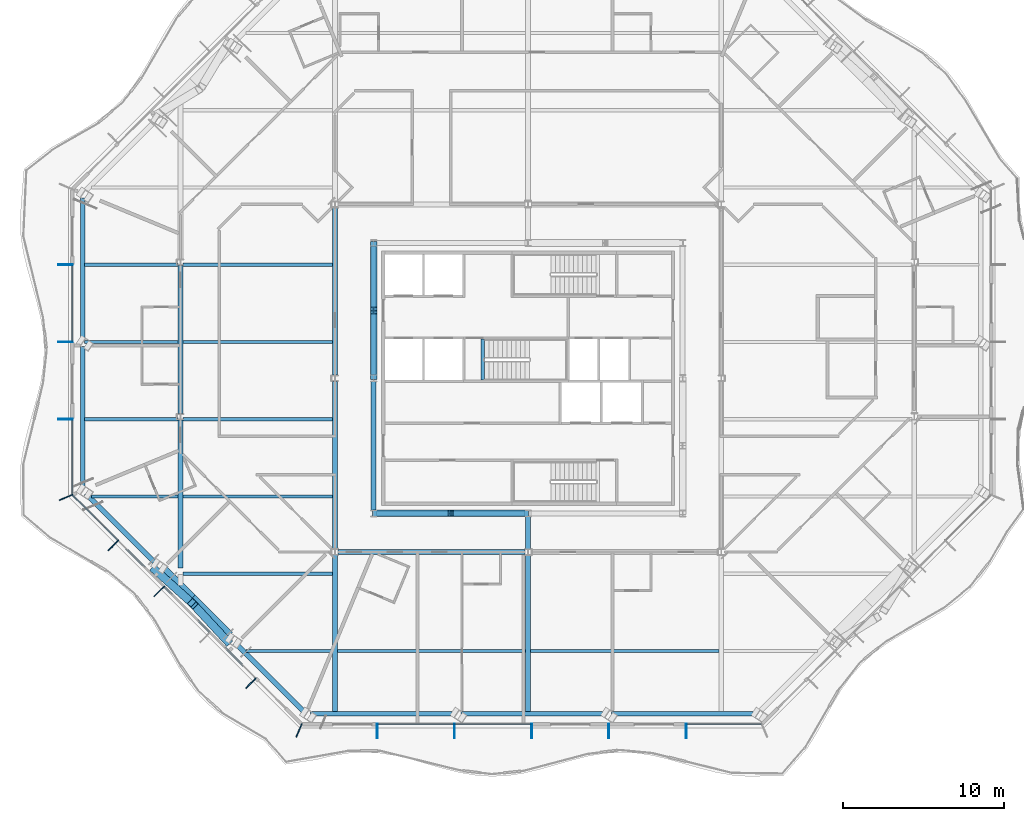
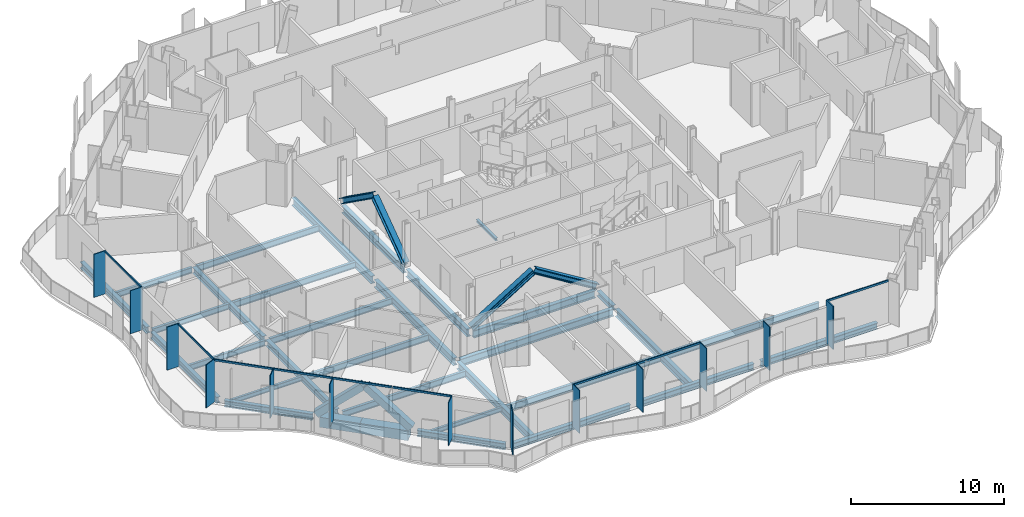
# One storey, part 3 of 22: 33 beams, 28 members, 3 elements without a shape of their own.
"""IFC4 building model written with IfcOpenShell, lengths in metres."""

from ifc_helpers import new_model, si_unit, direction, frame, origin, origin_2d, place, context, subcontext, project, spatial, rectangle, hollow_rectangle, i_section, extrude, material, material_profile, profile_set, type_object, element, aggregate, save


model = new_model("IFC4")

# Units and contexts
model_context = context("Model", 3, precision=1e-05, world=origin(), true_north=direction((0.0, 1.0)))
body_context = subcontext(model_context, "Body", "Model", "MODEL_VIEW")
ifc_project = project(units=[si_unit("LENGTHUNIT", "METRE"), si_unit("AREAUNIT", "SQUARE_METRE"), si_unit("VOLUMEUNIT", "CUBIC_METRE"), si_unit("PLANEANGLEUNIT", "RADIAN"), si_unit("MASSUNIT", "GRAM", prefix="KILO")], contexts=[model_context])

# Site, building, storey
site_placement = place(None, origin())
site = spatial("IfcSite", under=ifc_project, at=site_placement, CompositionType="ELEMENT")
building_placement = place(site_placement, origin())
building = spatial("IfcBuilding", under=site, at=building_placement, Name="Cairn Pilgrim Tower", CompositionType="ELEMENT")
storey_placement = place(building_placement, frame((0.0, 0.0, 175.800048828125)))
storey = spatial("IfcBuildingStorey", under=building, at=storey_placement, Name="L44", CompositionType="ELEMENT", Elevation=175.800048828125)

# Members
ifc_material_1 = material(Name="Structural steel S460M", Category="steel")
ifc_material_profile_1 = material_profile(ifc_material_1, hollow_rectangle(XDim=0.5, YDim=0.5, WallThickness=0.030029296875, at=origin_2d()), Name="BOX 500x500x30")
ifc_profile_set_1 = profile_set([ifc_material_profile_1], Name="Structural steel S460M")
member_type_1 = type_object("IfcMemberType", Name="BOX 500x500x30 BRACE", PredefinedType="BRACE", material=ifc_profile_set_1)
member_1_placement = place(storey_placement, frame((-16.031005859375, -9.466552734375, 0.14990234375), z_axis=(0.565179620566, -0.506592120291, 0.651104001029), x_axis=(0.667456890518, 0.744648440071, 0.0)))
element("IfcMember", 1, at=member_1_placement, inside=storey, type_object=member_type_1, Name="XB-SW2-SW3-1", PredefinedType="BRACE", context=body_context, shape_type="SweptSolid", body=[
    extrude(hollow_rectangle(XDim=0.5, YDim=0.5, WallThickness=0.030029296875, at=origin_2d()), origin(), (0.0, 0.0, 1.0), 4.1171875),
])
member_2_placement = place(storey_placement, frame((-11.445556640625, -13.984375, 0.14404296875), z_axis=(-0.51585139641, 0.557859224018, 0.65014646273), x_axis=(-0.734209901974, -0.678922543331, 0.0)))
element("IfcMember", 2, at=member_2_placement, inside=storey, type_object=member_type_1, Name="XB-SW2-SW3-2", PredefinedType="BRACE", context=body_context, shape_type="SweptSolid", body=[
    extrude(hollow_rectangle(XDim=0.5, YDim=0.5, WallThickness=0.030029296875, at=origin_2d()), origin(), (0.0, 0.0, 1.0), 4.132080078125),
])

# Beams
ifc_material_2 = material(Name="Structural steel S355J2", Category="steel")
ifc_material_profile_2 = material_profile(ifc_material_2, hollow_rectangle(XDim=0.699951171875, YDim=0.800048828125, WallThickness=0.0400390625, at=origin_2d()), Name="BOX 700x800x40")
ifc_profile_set_2 = profile_set([ifc_material_profile_2], Name="Structural steel S355J2")
beam_type_1 = type_object("IfcBeamType", Name="BOX 700x800x40 RING GIRDER", PredefinedType="SPANDREL", material=ifc_profile_set_2)
beam_1_placement = place(storey_placement, frame((-15.659912109375, -9.392333984375, -0.550048828125), z_axis=(0.707106781187, -0.707106781187, 0.0), x_axis=(0.707106781187, 0.707106781187, 0.0)))
element("IfcBeam", 3, at=beam_1_placement, inside=storey, type_object=beam_type_1, Name="RG2-SW2-SW3-1", PredefinedType="SPANDREL", context=body_context, shape_type="SweptSolid", body=[
    extrude(hollow_rectangle(XDim=0.699951171875, YDim=0.800048828125, WallThickness=0.0400390625, at=origin_2d()), origin(), (0.0, 0.0, 1.0), 2.73486328125),
])
beam_2_placement = place(storey_placement, frame((-13.72607421875, -11.326171875, -0.550048828125), z_axis=(0.707106781187, -0.707106781187, 0.0), x_axis=(0.707106781187, 0.707106781187, 0.0)))
element("IfcBeam", 4, at=beam_2_placement, inside=storey, type_object=beam_type_1, Name="RG2-SW2-SW3-2", PredefinedType="SPANDREL", context=body_context, shape_type="SweptSolid", body=[
    extrude(hollow_rectangle(XDim=0.699951171875, YDim=0.800048828125, WallThickness=0.0400390625, at=origin_2d()), origin(), (0.0, 0.0, 1.0), 3.264892578125),
])

# Curtain wall, members
ifc_material_3 = material(Name="Aluminium alloy 6063-T6 bronze anodised with Bronze tinted laminated low-E glass 8+16+8.8", Category="aluminium")
curtain_wall_type_1 = type_object("IfcCurtainWallType", Name="TOWER STICK CURTAIN WALL NS", PredefinedType="NOTDEFINED", material=ifc_material_3)
curtain_wall_1_placement = place(storey_placement, origin())
curtain_wall_1 = element("IfcCurtainWall", 5, at=curtain_wall_1_placement, inside=storey, type_object=curtain_wall_type_1, Name="Tower Stick Curtain Wall Ns S", PredefinedType="NOTDEFINED")
ifc_material_4 = material(Name="Aluminium alloy 6063-T6 bronze anodised", Category="aluminium")
ifc_material_profile_3 = material_profile(ifc_material_4, rectangle(XDim=0.89990234375, YDim=0.06005859375, at=origin_2d()), Name="FIN MULLION 60x900 BRONZE")
ifc_profile_set_3 = profile_set([ifc_material_profile_3], Name="Aluminium alloy 6063-T6 bronze anodised")
member_type_2 = type_object("IfcMemberType", Name="FIN MULLION 60x900 BRONZE", PredefinedType="MULLION", material=ifc_profile_set_3)
member_3_placement = place(storey_placement, frame((-7.0322265625, -19.488037109375, 0.0), z_axis=(0.0, 0.0, 1.0), x_axis=(-0.382683432365, -0.923879532511, 0.0)))
member_3 = element("IfcMember", 6, at=member_3_placement, type_object=member_type_2, Name="Fin mullion S1", PredefinedType="MULLION", context=body_context, shape_type="SweptSolid", body=[
    extrude(rectangle(XDim=0.89990234375, YDim=0.06005859375, at=origin_2d()), origin(), (0.0, 0.0, 1.0), 3.449951171875),
])
member_4_placement = place(storey_placement, frame((-2.175048828125, -19.52001953125, 0.0), z_axis=(0.0, 0.0, 1.0), x_axis=(0.0, -1.0, 0.0)))
member_4 = element("IfcMember", 7, at=member_4_placement, type_object=member_type_2, Name="Fin mullion S2", PredefinedType="MULLION", context=body_context, shape_type="SweptSolid", body=[
    extrude(rectangle(XDim=0.89990234375, YDim=0.06005859375, at=origin_2d()), origin(), (0.0, 0.0, 1.0), 3.449951171875),
])
member_5_placement = place(storey_placement, frame((2.625, -19.52001953125, 0.0), z_axis=(0.0, 0.0, 1.0), x_axis=(0.0, -1.0, 0.0)))
member_5 = element("IfcMember", 8, at=member_5_placement, type_object=member_type_2, Name="Fin mullion S3", PredefinedType="MULLION", context=body_context, shape_type="SweptSolid", body=[
    extrude(rectangle(XDim=0.89990234375, YDim=0.06005859375, at=origin_2d()), origin(), (0.0, 0.0, 1.0), 3.449951171875),
])
member_6_placement = place(storey_placement, frame((7.425048828125, -19.52001953125, 0.0), z_axis=(0.0, 0.0, 1.0), x_axis=(0.0, -1.0, 0.0)))
member_6 = element("IfcMember", 9, at=member_6_placement, type_object=member_type_2, Name="Fin mullion S4", PredefinedType="MULLION", context=body_context, shape_type="SweptSolid", body=[
    extrude(rectangle(XDim=0.89990234375, YDim=0.06005859375, at=origin_2d()), origin(), (0.0, 0.0, 1.0), 3.449951171875),
])
member_7_placement = place(storey_placement, frame((12.22509765625, -19.52001953125, 0.0), z_axis=(0.0, 0.0, 1.0), x_axis=(0.0, -1.0, 0.0)))
member_7 = element("IfcMember", 10, at=member_7_placement, type_object=member_type_2, Name="Fin mullion S5", PredefinedType="MULLION", context=body_context, shape_type="SweptSolid", body=[
    extrude(rectangle(XDim=0.89990234375, YDim=0.06005859375, at=origin_2d()), origin(), (0.0, 0.0, 1.0), 3.449951171875),
])
member_8_placement = place(storey_placement, frame((17.02490234375, -19.52001953125, 0.0), z_axis=(0.0, 0.0, 1.0), x_axis=(0.0, -1.0, 0.0)))
member_8 = element("IfcMember", 11, at=member_8_placement, type_object=member_type_2, Name="Fin mullion S6", PredefinedType="MULLION", context=body_context, shape_type="SweptSolid", body=[
    extrude(rectangle(XDim=0.89990234375, YDim=0.06005859375, at=origin_2d()), origin(), (0.0, 0.0, 1.0), 3.449951171875),
])

curtain_wall_type_2 = type_object("IfcCurtainWallType", Name="TOWER STICK CURTAIN WALL EW", PredefinedType="NOTDEFINED", material=ifc_material_3)
curtain_wall_2_placement = place(storey_placement, origin())
curtain_wall_2 = element("IfcCurtainWall", 12, at=curtain_wall_2_placement, inside=storey, type_object=curtain_wall_type_2, Name="Tower Stick Curtain Wall Ew W", PredefinedType="NOTDEFINED")
member_9_placement = place(storey_placement, frame((-21.544921875, 9.449951171875, 0.0), z_axis=(0.0, 0.0, 1.0), x_axis=(-1.0, 0.0, 0.0)))
member_9 = element("IfcMember", 13, at=member_9_placement, type_object=member_type_2, Name="Fin mullion W2", PredefinedType="MULLION", context=body_context, shape_type="SweptSolid", body=[
    extrude(rectangle(XDim=0.89990234375, YDim=0.06005859375, at=origin_2d()), origin(), (0.0, 0.0, 1.0), 3.449951171875),
])
member_10_placement = place(storey_placement, frame((-21.544921875, 4.64990234375, 0.0), z_axis=(0.0, 0.0, 1.0), x_axis=(-1.0, 0.0, 0.0)))
member_10 = element("IfcMember", 14, at=member_10_placement, type_object=member_type_2, Name="Fin mullion W3", PredefinedType="MULLION", context=body_context, shape_type="SweptSolid", body=[
    extrude(rectangle(XDim=0.89990234375, YDim=0.06005859375, at=origin_2d()), origin(), (0.0, 0.0, 1.0), 3.449951171875),
])
member_11_placement = place(storey_placement, frame((-21.544921875, -0.14990234375, 0.0), z_axis=(0.0, 0.0, 1.0), x_axis=(-1.0, 0.0, 0.0)))
member_11 = element("IfcMember", 15, at=member_11_placement, type_object=member_type_2, Name="Fin mullion W4", PredefinedType="MULLION", context=body_context, shape_type="SweptSolid", body=[
    extrude(rectangle(XDim=0.89990234375, YDim=0.06005859375, at=origin_2d()), origin(), (0.0, 0.0, 1.0), 3.449951171875),
])

curtain_wall_type_3 = type_object("IfcCurtainWallType", Name="CHAMFER CORNER CURTAIN WALL", PredefinedType="NOTDEFINED", material=ifc_material_3)
curtain_wall_3_placement = place(storey_placement, origin())
curtain_wall_3 = element("IfcCurtainWall", 16, at=curtain_wall_3_placement, inside=storey, type_object=curtain_wall_type_3, Name="Chamfer Corner Curtain Wall SW", PredefinedType="NOTDEFINED")
member_12_placement = place(storey_placement, frame((-21.512939453125, -5.007080078125, 0.0), z_axis=(0.0, 0.0, 1.0), x_axis=(-0.923879532511, -0.382683432365, 0.0)))
member_12 = element("IfcMember", 17, at=member_12_placement, type_object=member_type_2, Name="Fin mullion SW1", PredefinedType="MULLION", context=body_context, shape_type="SweptSolid", body=[
    extrude(rectangle(XDim=0.89990234375, YDim=0.06005859375, at=origin_2d()), origin(), (0.0, 0.0, 1.0), 3.449951171875),
])
member_13_placement = place(storey_placement, frame((-18.5712890625, -7.994140625, 0.0), z_axis=(0.0, 0.0, 1.0), x_axis=(-0.707106781187, -0.707106781187, 0.0)))
member_13 = element("IfcMember", 18, at=member_13_placement, type_object=member_type_2, Name="Fin mullion SW2", PredefinedType="MULLION", context=body_context, shape_type="SweptSolid", body=[
    extrude(rectangle(XDim=0.89990234375, YDim=0.06005859375, at=origin_2d()), origin(), (0.0, 0.0, 1.0), 3.449951171875),
])
member_14_placement = place(storey_placement, frame((-15.720458984375, -10.844970703125, 0.0), z_axis=(0.0, 0.0, 1.0), x_axis=(-0.707106781187, -0.707106781187, 0.0)))
member_14 = element("IfcMember", 19, at=member_14_placement, type_object=member_type_2, Name="Fin mullion SW3", PredefinedType="MULLION", context=body_context, shape_type="SweptSolid", body=[
    extrude(rectangle(XDim=0.89990234375, YDim=0.06005859375, at=origin_2d()), origin(), (0.0, 0.0, 1.0), 3.449951171875),
])
member_15_placement = place(storey_placement, frame((-10.01904296875, -16.54638671875, 0.0), z_axis=(0.0, 0.0, 1.0), x_axis=(-0.707106781187, -0.707106781187, 0.0)))
member_15 = element("IfcMember", 20, at=member_15_placement, type_object=member_type_2, Name="Fin mullion SW5", PredefinedType="MULLION", context=body_context, shape_type="SweptSolid", body=[
    extrude(rectangle(XDim=0.89990234375, YDim=0.06005859375, at=origin_2d()), origin(), (0.0, 0.0, 1.0), 3.449951171875),
])

# Members
ifc_material_profile_4 = material_profile(ifc_material_1, i_section(OverallWidth=0.408935546875, OverallDepth=0.425048828125, WebThickness=0.03271484375, FlangeThickness=0.052490234375, FilletRadius=0.014892578125, at=origin_2d()), Name="HD 400x421")
ifc_profile_set_4 = profile_set([ifc_material_profile_4], Name="Structural steel S460M")
member_type_3 = type_object("IfcMemberType", Name="HD 400x421 BRACE", PredefinedType="BRACE", material=ifc_profile_set_4)
for number, where, z_axis, x_axis, name in (
    (21, (-2.3583984375, -6.0, 0.099853515625), (0.851099832195, 0.0, 0.525003881545), (0.0, 1.0, 0.0), "KB-1A"),
    (22, (7.158447265625, -6.0, 0.099853515625), (-0.85111200398, 0.0, 0.524984148981), (0.0, -1.0, 0.0), "KB-1B"),
):
    element("IfcMember", number, at=place(storey_placement, frame(where, z_axis=z_axis, x_axis=x_axis)), inside=storey, type_object=member_type_3, Name=name, PredefinedType="BRACE", context=body_context, shape_type="SweptSolid", body=[
        extrude(i_section(OverallWidth=0.408935546875, OverallDepth=0.425048828125, WebThickness=0.03271484375, FlangeThickness=0.052490234375, FilletRadius=0.014892578125, at=origin_2d()), origin(), (0.0, 0.0, 1.0), 5.5283203125),
    ])
for number, where, z_axis, x_axis, name in (
    (23, (-2.39990234375, 10.75830078125, 0.099853515625), (0.0, -0.81433042856, 0.580401544727), (1.0, 0.0, 0.0), "KB-4A"),
    (24, (-2.39990234375, 2.441650390625, 0.099853515625), (0.0, 0.81433042856, 0.580401544727), (-1.0, 0.0, 0.0), "KB-4B"),
):
    element("IfcMember", number, at=place(storey_placement, frame(where, z_axis=z_axis, x_axis=x_axis)), inside=storey, type_object=member_type_3, Name=name, PredefinedType="BRACE", context=body_context, shape_type="SweptSolid", body=[
        extrude(i_section(OverallWidth=0.408935546875, OverallDepth=0.425048828125, WebThickness=0.03271484375, FlangeThickness=0.052490234375, FilletRadius=0.014892578125, at=origin_2d()), origin(), (0.0, 0.0, 1.0), 4.998046875),
    ])

# Beams
ifc_material_profile_5 = material_profile(ifc_material_2, i_section(OverallWidth=0.300048828125, OverallDepth=0.39990234375, WebThickness=0.013427734375, FlangeThickness=0.02392578125, FilletRadius=0.027099609375, at=origin_2d()), Name="HEB 400")
ifc_profile_set_5 = profile_set([ifc_material_profile_5], Name="Structural steel S355J2")
beam_type_2 = type_object("IfcBeamType", Name="HEB 400 GIRDER", PredefinedType="BEAM", material=ifc_profile_set_5)
beam_3_placement = place(storey_placement, frame((7.199951171875, -8.200439453125, -0.35009765625), z_axis=(0.0, 1.0, 0.0), x_axis=(-1.0, 0.0, 0.0)))
element("IfcBeam", 25, at=beam_3_placement, inside=storey, type_object=beam_type_2, Name="PG3-E1", PredefinedType="BEAM", context=body_context, shape_type="SweptSolid", body=[
    extrude(i_section(OverallWidth=0.300048828125, OverallDepth=0.39990234375, WebThickness=0.013427734375, FlangeThickness=0.02392578125, FilletRadius=0.027099609375, at=origin_2d()), origin(), (0.0, 0.0, 1.0), 1.992431640625),
])
ifc_material_profile_6 = material_profile(ifc_material_2, i_section(OverallWidth=0.300048828125, OverallDepth=0.5, WebThickness=0.014404296875, FlangeThickness=0.028076171875, FilletRadius=0.027099609375, at=origin_2d()), Name="HEB 500")
ifc_profile_set_6 = profile_set([ifc_material_profile_6], Name="Structural steel S355J2")
beam_type_3 = type_object("IfcBeamType", Name="HEB 500 GIRDER", PredefinedType="BEAM", material=ifc_profile_set_6)
for number, where, z_axis, x_axis, name in (
    (26, (-14.39990234375, -9.400390625, -0.400146484375), (0.0, 1.0, 0.0), (-1.0, 0.0, 0.0), "PG1-1"),
    (27, (-14.39990234375, 0.199462890625, -0.400146484375), (0.0, 1.0, 0.0), (-1.0, 0.0, 0.0), "PG1-2"),
):
    element("IfcBeam", number, at=place(storey_placement, frame(where, z_axis=z_axis, x_axis=x_axis)), inside=storey, type_object=beam_type_3, Name=name, PredefinedType="BEAM", context=body_context, shape_type="SweptSolid", body=[
        extrude(i_section(OverallWidth=0.300048828125, OverallDepth=0.5, WebThickness=0.014404296875, FlangeThickness=0.028076171875, FilletRadius=0.027099609375, at=origin_2d()), origin(), (0.0, 0.0, 1.0), 9.200927734375),
    ])
ifc_material_profile_7 = material_profile(ifc_material_2, i_section(OverallWidth=0.300048828125, OverallDepth=0.5, WebThickness=0.014404296875, FlangeThickness=0.028076171875, FilletRadius=0.027099609375, at=origin_2d()), Name="HEB 500")
ifc_profile_set_7 = profile_set([ifc_material_profile_7], Name="Structural steel S355J2")
beam_type_4 = type_object("IfcBeamType", Name="HEB 500 RING GIRDER", PredefinedType="SPANDREL", material=ifc_profile_set_7)
for number, where, z_axis, x_axis, name in (
    (28, (-6.332275390625, -18.449951171875, -0.400146484375), (1.0, 0.0, 0.0), (0.0, 1.0, 0.0), "RG2-S1-S2"),
    (29, (3.019287109375, -18.449951171875, -0.400146484375), (1.0, 0.0, 0.0), (0.0, 1.0, 0.0), "RG2-S2-S3"),
    (30, (12.37060546875, -18.449951171875, -0.400146484375), (1.0, 0.0, 0.0), (0.0, 1.0, 0.0), "RG2-S3-SE1"),
):
    element("IfcBeam", number, at=place(storey_placement, frame(where, z_axis=z_axis, x_axis=x_axis)), inside=storey, type_object=beam_type_4, Name=name, PredefinedType="SPANDREL", context=body_context, shape_type="SweptSolid", body=[
        extrude(i_section(OverallWidth=0.300048828125, OverallDepth=0.5, WebThickness=0.014404296875, FlangeThickness=0.028076171875, FilletRadius=0.027099609375, at=origin_2d()), origin(), (0.0, 0.0, 1.0), 8.8115234375),
    ])
beam_4_placement = place(storey_placement, frame((-20.47509765625, 13.607177734375, -0.400146484375), z_axis=(0.0, -1.0, 0.0), x_axis=(1.0, 0.0, 0.0)))
element("IfcBeam", 31, at=beam_4_placement, inside=storey, type_object=beam_type_4, Name="RG2-W1-W2", PredefinedType="SPANDREL", context=body_context, shape_type="SweptSolid", body=[
    extrude(i_section(OverallWidth=0.300048828125, OverallDepth=0.5, WebThickness=0.014404296875, FlangeThickness=0.028076171875, FilletRadius=0.027099609375, at=origin_2d()), origin(), (0.0, 0.0, 1.0), 8.687255859375),
])
beam_5_placement = place(storey_placement, frame((-20.47509765625, 4.3798828125, -0.400146484375), z_axis=(0.0, -1.0, 0.0), x_axis=(1.0, 0.0, 0.0)))
element("IfcBeam", 32, at=beam_5_placement, inside=storey, type_object=beam_type_4, Name="RG2-W2-SW1", PredefinedType="SPANDREL", context=body_context, shape_type="SweptSolid", body=[
    extrude(i_section(OverallWidth=0.300048828125, OverallDepth=0.5, WebThickness=0.014404296875, FlangeThickness=0.028076171875, FilletRadius=0.027099609375, at=origin_2d()), origin(), (0.0, 0.0, 1.0), 8.68701171875),
])
for number, where, z_axis, x_axis, name in (
    (33, (-20.2841796875, -4.76806640625, -0.400146484375), (0.707106781187, -0.707106781187, 0.0), (0.707106781187, 0.707106781187, 0.0), "RG2-SW1-SW2"),
    (34, (-11.03564453125, -14.0166015625, -0.400146484375), (0.707106781187, -0.707106781187, 0.0), (0.707106781187, 0.707106781187, 0.0), "RG2-SW3-S1"),
):
    element("IfcBeam", number, at=place(storey_placement, frame(where, z_axis=z_axis, x_axis=x_axis)), inside=storey, type_object=beam_type_4, Name=name, PredefinedType="SPANDREL", context=body_context, shape_type="SweptSolid", body=[
        extrude(i_section(OverallWidth=0.300048828125, OverallDepth=0.5, WebThickness=0.014404296875, FlangeThickness=0.028076171875, FilletRadius=0.027099609375, at=origin_2d()), origin(), (0.0, 0.0, 1.0), 5.999755859375),
    ])
ifc_material_profile_8 = material_profile(ifc_material_2, i_section(OverallWidth=0.300048828125, OverallDepth=0.60009765625, WebThickness=0.015380859375, FlangeThickness=0.030029296875, FilletRadius=0.027099609375, at=origin_2d()), Name="HEB 600")
ifc_profile_set_8 = profile_set([ifc_material_profile_8], Name="Structural steel S355J2")
beam_type_5 = type_object("IfcBeamType", Name="HEB 600 CORE BEAM", PredefinedType="BEAM", material=ifc_profile_set_8)
beam_6_placement = place(storey_placement, frame((-2.212890625, -6.0, -0.449951171875), z_axis=(1.0, 0.0, 0.0), x_axis=(0.0, 1.0, 0.0)))
element("IfcBeam", 35, at=beam_6_placement, inside=storey, type_object=beam_type_5, Name="CB-1", PredefinedType="BEAM", context=body_context, shape_type="SweptSolid", body=[
    extrude(i_section(OverallWidth=0.300048828125, OverallDepth=0.60009765625, WebThickness=0.015380859375, FlangeThickness=0.030029296875, FilletRadius=0.027099609375, at=origin_2d()), origin(), (0.0, 0.0, 1.0), 9.2255859375),
])
for number, where, z_axis, x_axis, name in (
    (36, (-2.39990234375, 10.61279296875, -0.449951171875), (0.0, -1.0, 0.0), (1.0, 0.0, 0.0), "CB-7"),
    (37, (-2.39990234375, 2.212890625, -0.449951171875), (0.0, -1.0, 0.0), (1.0, 0.0, 0.0), "CB-8"),
):
    element("IfcBeam", number, at=place(storey_placement, frame(where, z_axis=z_axis, x_axis=x_axis)), inside=storey, type_object=beam_type_5, Name=name, PredefinedType="BEAM", context=body_context, shape_type="SweptSolid", body=[
        extrude(i_section(OverallWidth=0.300048828125, OverallDepth=0.60009765625, WebThickness=0.015380859375, FlangeThickness=0.030029296875, FilletRadius=0.027099609375, at=origin_2d()), origin(), (0.0, 0.0, 1.0), 8.025634765625),
    ])
ifc_material_profile_9 = material_profile(ifc_material_2, i_section(OverallWidth=0.300048828125, OverallDepth=0.60009765625, WebThickness=0.015380859375, FlangeThickness=0.030029296875, FilletRadius=0.027099609375, at=origin_2d()), Name="HEB 600")
ifc_profile_set_9 = profile_set([ifc_material_profile_9], Name="Structural steel S355J2")
beam_type_6 = type_object("IfcBeamType", Name="HEB 600 GIRDER", PredefinedType="BEAM", material=ifc_profile_set_9)
beam_7_placement = place(storey_placement, frame((-4.800048828125, -18.330078125, -0.449951171875), z_axis=(0.0, 1.0, 0.0), x_axis=(-1.0, 0.0, 0.0)))
element("IfcBeam", 38, at=beam_7_placement, inside=storey, type_object=beam_type_6, Name="PG2-1", PredefinedType="BEAM", context=body_context, shape_type="SweptSolid", body=[
    extrude(i_section(OverallWidth=0.300048828125, OverallDepth=0.60009765625, WebThickness=0.015380859375, FlangeThickness=0.030029296875, FilletRadius=0.027099609375, at=origin_2d()), origin(), (0.0, 0.0, 1.0), 9.73046875),
])
for number, where, z_axis, x_axis, name in (
    (39, (-4.800048828125, -8.200439453125, -0.449951171875), (0.0, 1.0, 0.0), (-1.0, 0.0, 0.0), "PG2-2"),
    (40, (-4.800048828125, 2.599609375, -0.449951171875), (0.0, 1.0, 0.0), (-1.0, 0.0, 0.0), "PG2-3"),
):
    element("IfcBeam", number, at=place(storey_placement, frame(where, z_axis=z_axis, x_axis=x_axis)), inside=storey, type_object=beam_type_6, Name=name, PredefinedType="BEAM", context=body_context, shape_type="SweptSolid", body=[
        extrude(i_section(OverallWidth=0.300048828125, OverallDepth=0.60009765625, WebThickness=0.015380859375, FlangeThickness=0.030029296875, FilletRadius=0.027099609375, at=origin_2d()), origin(), (0.0, 0.0, 1.0), 10.40087890625),
    ])
beam_8_placement = place(storey_placement, frame((7.199951171875, -18.330078125, -0.449951171875), z_axis=(0.0, 1.0, 0.0), x_axis=(-1.0, 0.0, 0.0)))
element("IfcBeam", 41, at=beam_8_placement, inside=storey, type_object=beam_type_6, Name="PG3-1", PredefinedType="BEAM", context=body_context, shape_type="SweptSolid", body=[
    extrude(i_section(OverallWidth=0.300048828125, OverallDepth=0.60009765625, WebThickness=0.015380859375, FlangeThickness=0.030029296875, FilletRadius=0.027099609375, at=origin_2d()), origin(), (0.0, 0.0, 1.0), 9.73046875),
])
ifc_material_profile_10 = material_profile(ifc_material_2, i_section(OverallWidth=0.300048828125, OverallDepth=0.60009765625, WebThickness=0.015380859375, FlangeThickness=0.030029296875, FilletRadius=0.027099609375, at=origin_2d()), Name="HEB 600")
ifc_profile_set_10 = profile_set([ifc_material_profile_10], Name="Structural steel S355J2")
beam_type_7 = type_object("IfcBeamType", Name="HEB 600 INNER GIRDER", PredefinedType="BEAM", material=ifc_profile_set_10)
beam_9_placement = place(storey_placement, frame((-4.6005859375, -8.39990234375, -0.449951171875), z_axis=(1.0, 0.0, 0.0), x_axis=(0.0, 1.0, 0.0)))
element("IfcBeam", 42, at=beam_9_placement, inside=storey, type_object=beam_type_7, Name="IG1-1", PredefinedType="BEAM", context=body_context, shape_type="SweptSolid", body=[
    extrude(i_section(OverallWidth=0.300048828125, OverallDepth=0.60009765625, WebThickness=0.015380859375, FlangeThickness=0.030029296875, FilletRadius=0.027099609375, at=origin_2d()), origin(), (0.0, 0.0, 1.0), 11.60107421875),
])
ifc_material_profile_11 = material_profile(ifc_material_2, i_section(OverallWidth=0.169921875, OverallDepth=0.360107421875, WebThickness=0.008056640625, FlangeThickness=0.0126953125, FilletRadius=0.01806640625, at=origin_2d()), Name="IPE 360")
ifc_profile_set_11 = profile_set([ifc_material_profile_11], Name="Structural steel S355J2")
beam_type_8 = type_object("IfcBeamType", Name="IPE 360 SECONDARY BEAM", PredefinedType="JOIST", material=ifc_profile_set_11)
for number, where, z_axis, x_axis, name in (
    (43, (-10.320068359375, -14.550048828125, -0.330078125), (1.0, 0.0, 0.0), (0.0, 1.0, 0.0), "SB1-1"),
    (44, (-19.920166015625, -4.949951171875, -0.330078125), (1.0, 0.0, 0.0), (0.0, 1.0, 0.0), "SB3-1"),
):
    element("IfcBeam", number, at=place(storey_placement, frame(where, z_axis=z_axis, x_axis=x_axis)), inside=storey, type_object=beam_type_8, Name=name, PredefinedType="JOIST", context=body_context, shape_type="SweptSolid", body=[
        extrude(i_section(OverallWidth=0.169921875, OverallDepth=0.360107421875, WebThickness=0.008056640625, FlangeThickness=0.0126953125, FilletRadius=0.01806640625, at=origin_2d()), origin(), (0.0, 0.0, 1.0), 5.3701171875),
    ])
ifc_material_profile_12 = material_profile(ifc_material_2, i_section(OverallWidth=0.18994140625, OverallDepth=0.449951171875, WebThickness=0.009521484375, FlangeThickness=0.0146484375, FilletRadius=0.02099609375, at=origin_2d()), Name="IPE 450")
ifc_profile_set_12 = profile_set([ifc_material_profile_12], Name="Structural steel S355J2")
beam_type_9 = type_object("IfcBeamType", Name="IPE 450 SECONDARY BEAM", PredefinedType="JOIST", material=ifc_profile_set_12)
for number, where, z_axis, x_axis, name in (
    (45, (-20.35498046875, -0.14990234375, -0.375), (1.0, 0.0, 0.0), (0.0, 1.0, 0.0), "SB4-1"),
    (46, (-20.35498046875, 4.64990234375, -0.375), (1.0, 0.0, 0.0), (0.0, 1.0, 0.0), "SB5-1"),
    (47, (-20.35498046875, 9.449951171875, -0.375), (1.0, 0.0, 0.0), (0.0, 1.0, 0.0), "SB6-1"),
):
    element("IfcBeam", number, at=place(storey_placement, frame(where, z_axis=z_axis, x_axis=x_axis)), inside=storey, type_object=beam_type_9, Name=name, PredefinedType="JOIST", context=body_context, shape_type="SweptSolid", body=[
        extrude(i_section(OverallWidth=0.18994140625, OverallDepth=0.449951171875, WebThickness=0.009521484375, FlangeThickness=0.0146484375, FilletRadius=0.02099609375, at=origin_2d()), origin(), (0.0, 0.0, 1.0), 5.804931640625),
    ])
ifc_material_profile_13 = material_profile(ifc_material_2, i_section(OverallWidth=0.199951171875, OverallDepth=0.5, WebThickness=0.01025390625, FlangeThickness=0.01611328125, FilletRadius=0.02099609375, at=origin_2d()), Name="IPE 500")
ifc_profile_set_13 = profile_set([ifc_material_profile_13], Name="Structural steel S355J2")
beam_type_10 = type_object("IfcBeamType", Name="IPE 500 SECONDARY BEAM", PredefinedType="JOIST", material=ifc_profile_set_13)
for number, where, z_axis, x_axis, name in (
    (48, (-14.25, -9.75, -0.400146484375), (1.0, 0.0, 0.0), (0.0, 1.0, 0.0), "SB2-1"),
    (49, (-14.25, -4.949951171875, -0.400146484375), (1.0, 0.0, 0.0), (0.0, 1.0, 0.0), "SB3-2"),
    (50, (-14.25, -0.14990234375, -0.400146484375), (1.0, 0.0, 0.0), (0.0, 1.0, 0.0), "SB4-2"),
    (51, (-14.25, 4.64990234375, -0.400146484375), (1.0, 0.0, 0.0), (0.0, 1.0, 0.0), "SB5-2"),
    (52, (-14.25, 9.449951171875, -0.400146484375), (1.0, 0.0, 0.0), (0.0, 1.0, 0.0), "SB6-2"),
):
    element("IfcBeam", number, at=place(storey_placement, frame(where, z_axis=z_axis, x_axis=x_axis)), inside=storey, type_object=beam_type_10, Name=name, PredefinedType="JOIST", context=body_context, shape_type="SweptSolid", body=[
        extrude(i_section(OverallWidth=0.199951171875, OverallDepth=0.5, WebThickness=0.01025390625, FlangeThickness=0.01611328125, FilletRadius=0.02099609375, at=origin_2d()), origin(), (0.0, 0.0, 1.0), 9.300048828125),
    ])
ifc_material_profile_14 = material_profile(ifc_material_2, i_section(OverallWidth=0.2099609375, OverallDepth=0.550048828125, WebThickness=0.010986328125, FlangeThickness=0.01708984375, FilletRadius=0.02392578125, at=origin_2d()), Name="IPE 550")
ifc_profile_set_14 = profile_set([ifc_material_profile_14], Name="Structural steel S355J2")
beam_type_11 = type_object("IfcBeamType", Name="IPE 550 SECONDARY BEAM", PredefinedType="JOIST", material=ifc_profile_set_14)
for number, where, z_axis, x_axis, name in (
    (53, (-4.64990234375, -14.550048828125, -0.425048828125), (1.0, 0.0, 0.0), (0.0, 1.0, 0.0), "SB1-2"),
    (54, (7.35009765625, -14.550048828125, -0.425048828125), (1.0, 0.0, 0.0), (0.0, 1.0, 0.0), "SB1-3"),
):
    element("IfcBeam", number, at=place(storey_placement, frame(where, z_axis=z_axis, x_axis=x_axis)), inside=storey, type_object=beam_type_11, Name=name, PredefinedType="JOIST", context=body_context, shape_type="SweptSolid", body=[
        extrude(i_section(OverallWidth=0.2099609375, OverallDepth=0.550048828125, WebThickness=0.010986328125, FlangeThickness=0.01708984375, FilletRadius=0.02392578125, at=origin_2d()), origin(), (0.0, 0.0, 1.0), 11.699951171875),
    ])
ifc_material_profile_15 = material_profile(ifc_material_2, i_section(OverallWidth=0.199951171875, OverallDepth=0.199951171875, WebThickness=0.009033203125, FlangeThickness=0.014892578125, FilletRadius=0.01806640625, at=origin_2d()), Name="HE 200 B")
ifc_profile_set_15 = profile_set([ifc_material_profile_15], Name="Structural steel S355J2")
beam_type_12 = type_object("IfcBeamType", Name="STAIR LANDING BEAM HE 200 B", PredefinedType="BEAM", material=ifc_profile_set_15)
beam_10_placement = place(storey_placement, frame((4.37548828125, 2.27490234375, -0.25), z_axis=(0.0, 1.0, 0.0), x_axis=(-1.0, 0.0, 0.0)))
element("IfcBeam", 55, at=beam_10_placement, inside=storey, type_object=beam_type_12, Name="STAIR LANDING BEAM LD-HE200B", PredefinedType="BEAM", context=body_context, shape_type="SweptSolid", body=[
    extrude(i_section(OverallWidth=0.199951171875, OverallDepth=0.199951171875, WebThickness=0.009033203125, FlangeThickness=0.014892578125, FilletRadius=0.01806640625, at=origin_2d()), origin(), (0.0, 0.0, 1.0), 2.550048828125),
])

# Member
ifc_material_profile_16 = material_profile(ifc_material_4, rectangle(XDim=0.080078125, YDim=0.14990234375, at=origin_2d()), Name="TRANSOM 80x150 BRONZE")
ifc_profile_set_16 = profile_set([ifc_material_profile_16], Name="Aluminium alloy 6063-T6 bronze anodised")
member_type_4 = type_object("IfcMemberType", Name="TRANSOM 80x150 BRONZE", PredefinedType="USERDEFINED", material=ifc_profile_set_16)
member_16_placement = place(storey_placement, frame((-2.14501953125, -19.10009765625, 3.375), z_axis=(1.0, 0.0, 0.0), x_axis=(0.0, 1.0, 0.0)))
member_16 = element("IfcMember", 56, at=member_16_placement, type_object=member_type_4, Name="Transom S2", ObjectType="TRANSOM", PredefinedType="USERDEFINED", context=body_context, shape_type="SweptSolid", body=[
    extrude(rectangle(XDim=0.080078125, YDim=0.14990234375, at=origin_2d()), origin(), (0.0, 0.0, 1.0), 4.739990234375),
])

member_17_placement = place(storey_placement, frame((2.655029296875, -19.10009765625, 3.375), z_axis=(1.0, 0.0, 0.0), x_axis=(0.0, 1.0, 0.0)))
member_17 = element("IfcMember", 57, at=member_17_placement, type_object=member_type_4, Name="Transom S3", ObjectType="TRANSOM", PredefinedType="USERDEFINED", context=body_context, shape_type="SweptSolid", body=[
    extrude(rectangle(XDim=0.080078125, YDim=0.14990234375, at=origin_2d()), origin(), (0.0, 0.0, 1.0), 4.739990234375),
])

member_18_placement = place(storey_placement, frame((17.054931640625, -19.10009765625, 3.375), z_axis=(1.0, 0.0, 0.0), x_axis=(0.0, 1.0, 0.0)))
member_18 = element("IfcMember", 58, at=member_18_placement, type_object=member_type_4, Name="Transom S6", ObjectType="TRANSOM", PredefinedType="USERDEFINED", context=body_context, shape_type="SweptSolid", body=[
    extrude(rectangle(XDim=0.080078125, YDim=0.14990234375, at=origin_2d()), origin(), (0.0, 0.0, 1.0), 4.62646484375),
])

aggregate(curtain_wall_1, [member_3, member_4, member_5, member_6, member_7, member_8, member_16, member_17, member_18])

member_19_placement = place(storey_placement, frame((-21.125, 9.419921875, 3.375), z_axis=(0.0, -1.0, 0.0), x_axis=(1.0, 0.0, 0.0)))
member_19 = element("IfcMember", 59, at=member_19_placement, type_object=member_type_4, Name="Transom W2", ObjectType="TRANSOM", PredefinedType="USERDEFINED", context=body_context, shape_type="SweptSolid", body=[
    extrude(rectangle(XDim=0.080078125, YDim=0.14990234375, at=origin_2d()), origin(), (0.0, 0.0, 1.0), 4.739990234375),
])

member_20_placement = place(storey_placement, frame((-21.125, -0.179931640625, 3.375), z_axis=(0.0, -1.0, 0.0), x_axis=(1.0, 0.0, 0.0)))
member_20 = element("IfcMember", 60, at=member_20_placement, type_object=member_type_4, Name="Transom W4", ObjectType="TRANSOM", PredefinedType="USERDEFINED", context=body_context, shape_type="SweptSolid", body=[
    extrude(rectangle(XDim=0.080078125, YDim=0.14990234375, at=origin_2d()), origin(), (0.0, 0.0, 1.0), 4.62646484375),
])

aggregate(curtain_wall_2, [member_9, member_10, member_11, member_19, member_20])

member_21_placement = place(storey_placement, frame((-21.0966796875, -4.874755859375, 3.375), z_axis=(0.707106781187, -0.707106781187, 0.0), x_axis=(0.707106781187, 0.707106781187, 0.0)))
member_21 = element("IfcMember", 61, at=member_21_placement, type_object=member_type_4, Name="Transom SW1", ObjectType="TRANSOM", PredefinedType="USERDEFINED", context=body_context, shape_type="SweptSolid", body=[
    extrude(rectangle(XDim=0.080078125, YDim=0.14990234375, at=origin_2d()), origin(), (0.0, 0.0, 1.0), 3.961669921875),
])

member_22_placement = place(storey_placement, frame((-18.253173828125, -7.71826171875, 3.375), z_axis=(0.707106781187, -0.707106781187, 0.0), x_axis=(0.707106781187, 0.707106781187, 0.0)))
member_22 = element("IfcMember", 62, at=member_22_placement, type_object=member_type_4, Name="Transom SW2", ObjectType="TRANSOM", PredefinedType="USERDEFINED", context=body_context, shape_type="SweptSolid", body=[
    extrude(rectangle(XDim=0.080078125, YDim=0.14990234375, at=origin_2d()), origin(), (0.0, 0.0, 1.0), 3.9716796875),
])

member_23_placement = place(storey_placement, frame((-15.40234375, -10.569091796875, 3.375), z_axis=(0.707106781187, -0.707106781187, 0.0), x_axis=(0.707106781187, 0.707106781187, 0.0)))
member_23 = element("IfcMember", 63, at=member_23_placement, type_object=member_type_4, Name="Transom SW3", ObjectType="TRANSOM", PredefinedType="USERDEFINED", context=body_context, shape_type="SweptSolid", body=[
    extrude(rectangle(XDim=0.080078125, YDim=0.14990234375, at=origin_2d()), origin(), (0.0, 0.0, 1.0), 3.9716796875),
])

member_24_placement = place(storey_placement, frame((-12.5517578125, -13.419677734375, 3.375), z_axis=(0.707106781187, -0.707106781187, 0.0), x_axis=(0.707106781187, 0.707106781187, 0.0)))
member_24 = element("IfcMember", 64, at=member_24_placement, type_object=member_type_4, Name="Transom SW4", ObjectType="TRANSOM", PredefinedType="USERDEFINED", context=body_context, shape_type="SweptSolid", body=[
    extrude(rectangle(XDim=0.080078125, YDim=0.14990234375, at=origin_2d()), origin(), (0.0, 0.0, 1.0), 3.9716796875),
])

aggregate(curtain_wall_3, [member_12, member_13, member_14, member_15, member_21, member_22, member_23, member_24])

save(model, "model.ifc")
